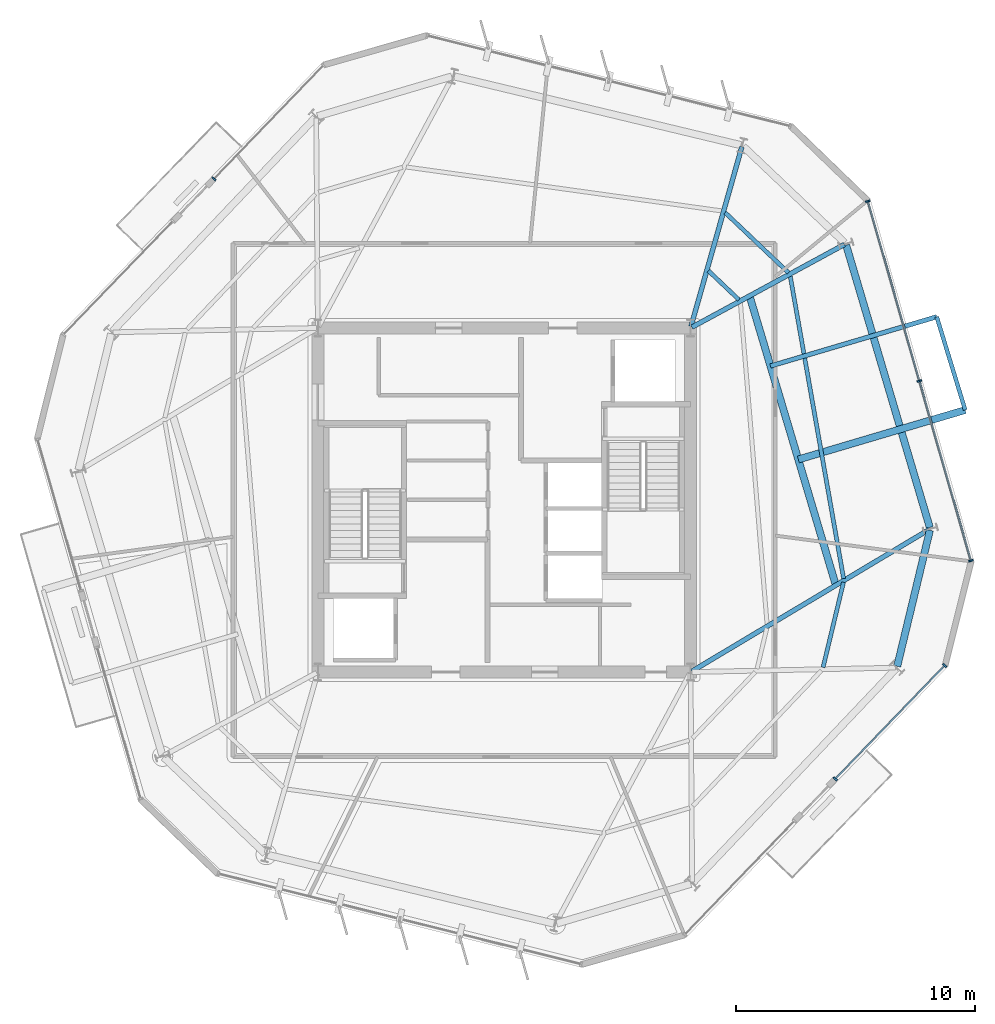
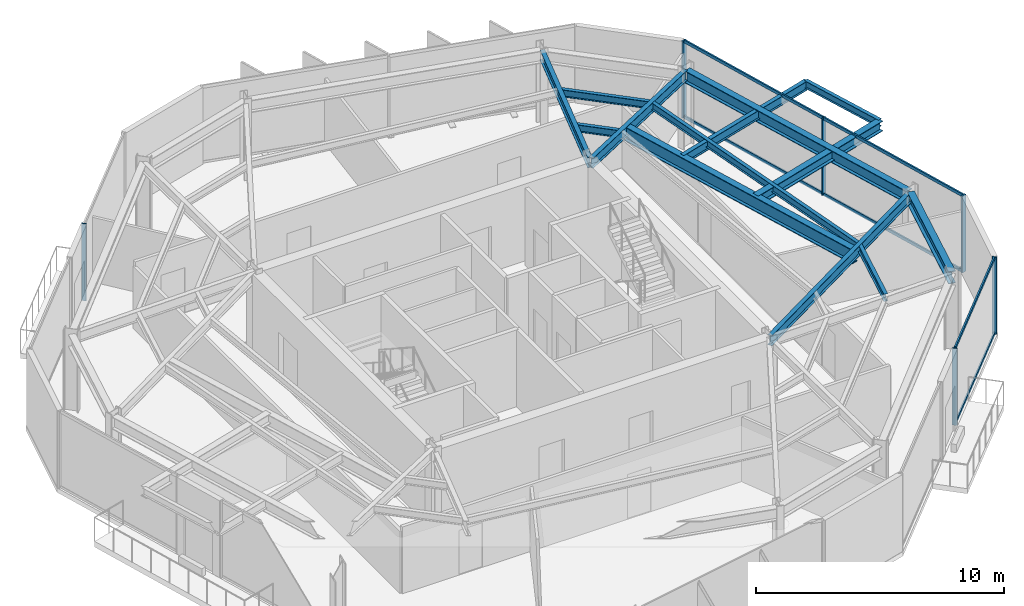
# One storey, part 4 of 11: 13 beams, 12 members, 3 elements without a shape of their own.
"""IFC4 building model written with IfcOpenShell, lengths in metres."""

from ifc_helpers import new_model, si_unit, direction, frame, origin, origin_2d, place, context, subcontext, project, spatial, rectangle, i_section, extrude, material, layer, layer_set, material_profile, profile_set, type_object, element, aggregate, save


model = new_model("IFC4")

# Units and contexts
model_context = context("Model", 3, precision=1e-05, world=origin(), true_north=direction((0.0, 1.0)))
body_context = subcontext(model_context, "Body", "Model", "MODEL_VIEW")
ifc_project = project(units=[si_unit("LENGTHUNIT", "METRE"), si_unit("AREAUNIT", "SQUARE_METRE"), si_unit("VOLUMEUNIT", "CUBIC_METRE"), si_unit("PLANEANGLEUNIT", "RADIAN"), si_unit("MASSUNIT", "GRAM", prefix="KILO")], contexts=[model_context])

# Site, building, storey
site_placement = place(None, origin())
site = spatial("IfcSite", under=ifc_project, at=site_placement, CompositionType="ELEMENT")
building_placement = place(site_placement, origin())
building = spatial("IfcBuilding", under=site, at=building_placement, Name="Kranzbogen Civic Tower", CompositionType="ELEMENT")
storey_placement = place(building_placement, frame((0.0, 0.0, 208.800048828125)))
storey = spatial("IfcBuildingStorey", under=building, at=storey_placement, Name="L50", CompositionType="ELEMENT", Elevation=208.800048828125)

# Beam
ifc_material_1 = material(Name="Steel S355", Category="steel")
ifc_material_profile_1 = material_profile(ifc_material_1, i_section(OverallWidth=0.18994140625, OverallDepth=0.449951171875, WebThickness=0.009521484375, FlangeThickness=0.0146484375, at=origin_2d()), Name="IPE 450")
ifc_profile_set_1 = profile_set([ifc_material_profile_1], Name="Steel S355")
beam_type_1 = type_object("IfcBeamType", Name="Braced Terrace Edge Beam IPE 450", PredefinedType="BEAM", material=ifc_profile_set_1)
beam_1_placement = place(storey_placement, frame((36.14208984375, 30.60595703125, 3.52490234375), z_axis=(0.958820509995, 0.284012727908, 0.0), x_axis=(-0.284012727908, 0.958820509995, 0.0)))
element("IfcBeam", 1, at=beam_1_placement, inside=storey, type_object=beam_type_1, Name="L51 back-spanned terrace beam L51-TB2-2", PredefinedType="BEAM", context=body_context, shape_type="SweptSolid", body=[
    extrude(i_section(OverallWidth=0.18994140625, OverallDepth=0.449951171875, WebThickness=0.009521484375, FlangeThickness=0.0146484375, at=origin_2d()), origin(), (0.0, 0.0, 1.0), 7.2568359375),
])

# Curtain wall, member
ifc_material_2 = material(Name="Pale Anodised Aluminium", Category="aluminium")
ifc_layer = layer(ifc_material_2, 0.219970703125, Name="Pale Anodised Aluminium")
ifc_layer_set = layer_set([ifc_layer], Name="Pale Anodised Aluminium")
curtain_wall_type = type_object("IfcCurtainWallType", Name="Zone 3 Stick Curtain Wall System CW-04", PredefinedType="USERDEFINED", material=ifc_layer_set)
curtain_wall_1_placement = place(storey_placement, origin())
curtain_wall_1 = element("IfcCurtainWall", 2, at=curtain_wall_1_placement, inside=storey, type_object=curtain_wall_type, Name="L50 curtain wall CW-L50-F2-S1", ObjectType="STICK CURTAIN WALL", PredefinedType="USERDEFINED")
ifc_material_profile_2 = material_profile(ifc_material_2, rectangle(XDim=0.070068359375, YDim=0.199951171875, at=origin_2d()), Name="ALU-M 70x200")
ifc_profile_set_2 = profile_set([ifc_material_profile_2], Name="Pale Anodised Aluminium")
member_type_1 = type_object("IfcMemberType", Name="Curtain Wall Mullion ALU-M 70x200", PredefinedType="MULLION", material=ifc_profile_set_2)
member_1_placement = place(storey_placement, frame((12.854736328125, 38.4384765625, 0.0), z_axis=(0.0, 0.0, 1.0), x_axis=(-0.694677640583, -0.719321190897, 0.0)))
member_1 = element("IfcMember", 3, at=member_1_placement, type_object=member_type_1, Name="CW-04 mullion 2", PredefinedType="MULLION", context=body_context, shape_type="SweptSolid", body=[
    extrude(rectangle(XDim=0.070068359375, YDim=0.199951171875, at=origin_2d()), origin(), (0.0, 0.0, 1.0), 3.780029296875),
])
aggregate(curtain_wall_1, [member_1])

# Curtain wall, members
curtain_wall_2_placement = place(storey_placement, origin())
curtain_wall_2 = element("IfcCurtainWall", 4, at=curtain_wall_2_placement, inside=storey, type_object=curtain_wall_type, Name="L50 curtain wall CW-L50-F5-S2", ObjectType="STICK CURTAIN WALL", PredefinedType="USERDEFINED")
member_2_placement = place(storey_placement, frame((38.853759765625, 13.33056640625, 0.0), z_axis=(0.0, 0.0, 1.0), x_axis=(0.694677640583, 0.719321190897, 0.0)))
member_2 = element("IfcMember", 5, at=member_2_placement, type_object=member_type_1, Name="CW-04 mullion 1", PredefinedType="MULLION", context=body_context, shape_type="SweptSolid", body=[
    extrude(rectangle(XDim=0.070068359375, YDim=0.199951171875, at=origin_2d()), origin(), (0.0, 0.0, 1.0), 3.780029296875),
])
member_3_placement = place(storey_placement, frame((43.43505859375, 18.074462890625, 0.0), z_axis=(0.0, 0.0, 1.0), x_axis=(0.694677640583, 0.719321190897, 0.0)))
member_3 = element("IfcMember", 6, at=member_3_placement, type_object=member_type_1, Name="CW-04 mullion 2", PredefinedType="MULLION", context=body_context, shape_type="SweptSolid", body=[
    extrude(rectangle(XDim=0.070068359375, YDim=0.199951171875, at=origin_2d()), origin(), (0.0, 0.0, 1.0), 3.780029296875),
])

curtain_wall_3_placement = place(storey_placement, origin())
curtain_wall_3 = element("IfcCurtainWall", 7, at=curtain_wall_3_placement, inside=storey, type_object=curtain_wall_type, Name="L50 curtain wall CW-L50-F6", ObjectType="STICK CURTAIN WALL", PredefinedType="USERDEFINED")
member_4_placement = place(storey_placement, frame((44.52783203125, 22.459716796875, 0.0), z_axis=(0.0, 0.0, 1.0), x_axis=(-0.275587041813, 0.961276121822, 0.0)))
member_4 = element("IfcMember", 8, at=member_4_placement, type_object=member_type_1, Name="CW-04 mullion 1", PredefinedType="MULLION", context=body_context, shape_type="SweptSolid", body=[
    extrude(rectangle(XDim=0.070068359375, YDim=0.199951171875, at=origin_2d()), origin(), (0.0, 0.0, 1.0), 3.780029296875),
])
member_5_placement = place(storey_placement, frame((42.37158203125, 29.98095703125, 0.0), z_axis=(0.0, 0.0, 1.0), x_axis=(-0.275587041813, 0.961276121822, 0.0)))
member_5 = element("IfcMember", 9, at=member_5_placement, type_object=member_type_1, Name="CW-04 mullion 2", PredefinedType="MULLION", context=body_context, shape_type="SweptSolid", body=[
    extrude(rectangle(XDim=0.070068359375, YDim=0.199951171875, at=origin_2d()), origin(), (0.0, 0.0, 1.0), 3.780029296875),
])
member_6_placement = place(storey_placement, frame((40.21533203125, 37.502197265625, 0.0), z_axis=(0.0, 0.0, 1.0), x_axis=(-0.275587041813, 0.961276121822, 0.0)))
member_6 = element("IfcMember", 10, at=member_6_placement, type_object=member_type_1, Name="CW-04 mullion 3", PredefinedType="MULLION", context=body_context, shape_type="SweptSolid", body=[
    extrude(rectangle(XDim=0.070068359375, YDim=0.199951171875, at=origin_2d()), origin(), (0.0, 0.0, 1.0), 3.780029296875),
])

# Member
ifc_material_profile_3 = material_profile(ifc_material_2, rectangle(XDim=0.070068359375, YDim=0.14990234375, at=origin_2d()), Name="ALU-T 70x150")
ifc_profile_set_3 = profile_set([ifc_material_profile_3], Name="Pale Anodised Aluminium")
member_type_2 = type_object("IfcMemberType", Name="Curtain Wall Transom ALU-T 70x150", PredefinedType="USERDEFINED", material=ifc_profile_set_3)
member_7_placement = place(storey_placement, frame((38.874755859375, 13.35205078125, 0.030029296875), z_axis=(0.694670517161, 0.719328070207, 0.0), x_axis=(-0.719328070207, 0.694670517161, 0.0)))
member_7 = element("IfcMember", 11, at=member_7_placement, type_object=member_type_2, Name="CW-04 transom 1.1", ObjectType="TRANSOM", PredefinedType="USERDEFINED", context=body_context, shape_type="SweptSolid", body=[
    extrude(rectangle(XDim=0.070068359375, YDim=0.14990234375, at=origin_2d()), origin(), (0.0, 0.0, 1.0), 6.534912109375),
])

member_8_placement = place(storey_placement, frame((38.874755859375, 13.35205078125, 3.75), z_axis=(0.694670517161, 0.719328070207, 0.0), x_axis=(-0.719328070207, 0.694670517161, 0.0)))
member_8 = element("IfcMember", 12, at=member_8_placement, type_object=member_type_2, Name="CW-04 transom 1.2", ObjectType="TRANSOM", PredefinedType="USERDEFINED", context=body_context, shape_type="SweptSolid", body=[
    extrude(rectangle(XDim=0.070068359375, YDim=0.14990234375, at=origin_2d()), origin(), (0.0, 0.0, 1.0), 6.534912109375),
])

aggregate(curtain_wall_2, [member_2, member_3, member_7, member_8])

member_9_placement = place(storey_placement, frame((44.51953125, 22.48876953125, 0.030029296875), z_axis=(-0.275584867355, 0.961276745212, 0.0), x_axis=(-0.961276745212, -0.275584867355, 0.0)))
member_9 = element("IfcMember", 13, at=member_9_placement, type_object=member_type_2, Name="CW-04 transom 1.1", ObjectType="TRANSOM", PredefinedType="USERDEFINED", context=body_context, shape_type="SweptSolid", body=[
    extrude(rectangle(XDim=0.070068359375, YDim=0.14990234375, at=origin_2d()), origin(), (0.0, 0.0, 1.0), 7.763916015625),
])

member_10_placement = place(storey_placement, frame((44.51953125, 22.48876953125, 3.75), z_axis=(-0.275584867355, 0.961276745212, 0.0), x_axis=(-0.961276745212, -0.275584867355, 0.0)))
member_10 = element("IfcMember", 14, at=member_10_placement, type_object=member_type_2, Name="CW-04 transom 1.2", ObjectType="TRANSOM", PredefinedType="USERDEFINED", context=body_context, shape_type="SweptSolid", body=[
    extrude(rectangle(XDim=0.070068359375, YDim=0.14990234375, at=origin_2d()), origin(), (0.0, 0.0, 1.0), 7.763916015625),
])

member_11_placement = place(storey_placement, frame((42.36328125, 30.009765625, 0.030029296875), z_axis=(-0.27557653737, 0.961279133265, 0.0), x_axis=(-0.961279133265, -0.27557653737, 0.0)))
member_11 = element("IfcMember", 15, at=member_11_placement, type_object=member_type_2, Name="CW-04 transom 2.1", ObjectType="TRANSOM", PredefinedType="USERDEFINED", context=body_context, shape_type="SweptSolid", body=[
    extrude(rectangle(XDim=0.070068359375, YDim=0.14990234375, at=origin_2d()), origin(), (0.0, 0.0, 1.0), 7.76416015625),
])

member_12_placement = place(storey_placement, frame((42.36328125, 30.009765625, 3.75), z_axis=(-0.27557653737, 0.961279133265, 0.0), x_axis=(-0.961279133265, -0.27557653737, 0.0)))
member_12 = element("IfcMember", 16, at=member_12_placement, type_object=member_type_2, Name="CW-04 transom 2.2", ObjectType="TRANSOM", PredefinedType="USERDEFINED", context=body_context, shape_type="SweptSolid", body=[
    extrude(rectangle(XDim=0.070068359375, YDim=0.14990234375, at=origin_2d()), origin(), (0.0, 0.0, 1.0), 7.76416015625),
])

aggregate(curtain_wall_3, [member_4, member_5, member_6, member_9, member_10, member_11, member_12])

# Beams
ifc_material_profile_4 = material_profile(ifc_material_1, i_section(OverallWidth=0.300048828125, OverallDepth=0.5, WebThickness=0.014404296875, FlangeThickness=0.028076171875, at=origin_2d()), Name="HEB 500")
ifc_profile_set_4 = profile_set([ifc_material_profile_4], Name="Steel S355")
beam_type_2 = type_object("IfcBeamType", Name="Perimeter Tube Spandrel Beam HEB 500", PredefinedType="SPANDREL", material=ifc_profile_set_4)
beam_2_placement = place(storey_placement, frame((37.30908203125, 26.696044921875, 3.5), z_axis=(0.958804199762, 0.284067785077, 0.0), x_axis=(-0.284067785077, 0.958804199762, 0.0)))
element("IfcBeam", 17, at=beam_2_placement, inside=storey, type_object=beam_type_2, Name="L51 back-spanned terrace beam L51-TB2-1", PredefinedType="SPANDREL", context=body_context, shape_type="SweptSolid", body=[
    extrude(i_section(OverallWidth=0.300048828125, OverallDepth=0.5, WebThickness=0.014404296875, FlangeThickness=0.028076171875, at=origin_2d()), origin(), (0.0, 0.0, 1.0), 7.282958984375),
])
ifc_material_profile_5 = material_profile(ifc_material_1, i_section(OverallWidth=0.300048828125, OverallDepth=0.60009765625, WebThickness=0.015380859375, FlangeThickness=0.030029296875, at=origin_2d()), Name="HEB 600")
ifc_profile_set_5 = profile_set([ifc_material_profile_5], Name="Steel S355")
beam_type_3 = type_object("IfcBeamType", Name="Perimeter Tube Spandrel Beam HEB 600", PredefinedType="SPANDREL", material=ifc_profile_set_5)
beam_3_placement = place(storey_placement, frame((41.447021484375, 18.0419921875, 3.47998046875), z_axis=(0.233554380434, 0.972343741369, 0.0), x_axis=(-0.972343741369, 0.233554380434, 0.0)))
element("IfcBeam", 18, at=beam_3_placement, inside=storey, type_object=beam_type_3, Name="L50 perimeter spandrel beam 05", PredefinedType="SPANDREL", context=body_context, shape_type="SweptSolid", body=[
    extrude(i_section(OverallWidth=0.300048828125, OverallDepth=0.60009765625, WebThickness=0.015380859375, FlangeThickness=0.030029296875, at=origin_2d()), origin(), (0.0, 0.0, 1.0), 5.852783203125),
])
beam_4_placement = place(storey_placement, frame((42.81103515625, 23.84912109375, 3.47998046875), z_axis=(-0.284064048956, 0.958805306666, 0.0), x_axis=(-0.958805306666, -0.284064048956, 0.0)))
element("IfcBeam", 19, at=beam_4_placement, inside=storey, type_object=beam_type_3, Name="L50 perimeter spandrel beam 06", PredefinedType="SPANDREL", context=body_context, shape_type="SweptSolid", body=[
    extrude(i_section(OverallWidth=0.300048828125, OverallDepth=0.60009765625, WebThickness=0.015380859375, FlangeThickness=0.030029296875, at=origin_2d()), origin(), (0.0, 0.0, 1.0), 12.32470703125),
])
ifc_material_profile_6 = material_profile(ifc_material_1, i_section(OverallWidth=0.300048828125, OverallDepth=0.699951171875, WebThickness=0.01708984375, FlangeThickness=0.031982421875, at=origin_2d()), Name="HEB 700")
ifc_profile_set_6 = profile_set([ifc_material_profile_6], Name="Steel S355")
beam_type_4 = type_object("IfcBeamType", Name="Perimeter Tube Spandrel Beam HEB 700", PredefinedType="SPANDREL", material=ifc_profile_set_6)
beam_5_placement = place(storey_placement, frame((38.87890625, 21.431884765625, 3.39990234375), z_axis=(-0.285870808606, 0.95826816747, 0.0), x_axis=(-0.95826816747, -0.285870808606, 0.0)))
element("IfcBeam", 20, at=beam_5_placement, inside=storey, type_object=beam_type_4, Name="L51 balcony back-span header girder L51-TB2", PredefinedType="SPANDREL", context=body_context, shape_type="SweptSolid", body=[
    extrude(i_section(OverallWidth=0.300048828125, OverallDepth=0.699951171875, WebThickness=0.01708984375, FlangeThickness=0.031982421875, at=origin_2d()), origin(), (0.0, 0.0, 1.0), 12.634521484375),
])
ifc_material_profile_7 = material_profile(ifc_material_1, i_section(OverallWidth=0.199951171875, OverallDepth=0.5, WebThickness=0.01025390625, FlangeThickness=0.01611328125, at=origin_2d()), Name="IPE 500")
ifc_profile_set_7 = profile_set([ifc_material_profile_7], Name="Steel S355")
beam_type_5 = type_object("IfcBeamType", Name="Radial Tower Floor Girder IPE 500", PredefinedType="BEAM", material=ifc_profile_set_7)
beam_6_placement = place(storey_placement, frame((42.77587890625, 23.760009765625, 3.530029296875), z_axis=(-0.858458551809, -0.512882944565, 0.0), x_axis=(0.512882944565, -0.858458551809, 0.0)))
element("IfcBeam", 21, at=beam_6_placement, inside=storey, type_object=beam_type_5, Name="L50 radial floor girder 06", PredefinedType="BEAM", context=body_context, shape_type="SweptSolid", body=[
    extrude(i_section(OverallWidth=0.199951171875, OverallDepth=0.5, WebThickness=0.01025390625, FlangeThickness=0.01611328125, at=origin_2d()), origin(), (0.0, 0.0, 1.0), 11.56005859375),
])
beam_7_placement = place(storey_placement, frame((39.239990234375, 35.695068359375, 3.530029296875), z_axis=(-0.878919430102, -0.476970266777, 0.0), x_axis=(0.476970266777, -0.878919430102, 0.0)))
element("IfcBeam", 22, at=beam_7_placement, inside=storey, type_object=beam_type_5, Name="L50 radial floor girder 07", PredefinedType="BEAM", context=body_context, shape_type="SweptSolid", body=[
    extrude(i_section(OverallWidth=0.199951171875, OverallDepth=0.5, WebThickness=0.01025390625, FlangeThickness=0.01611328125, at=origin_2d()), origin(), (0.0, 0.0, 1.0), 7.266845703125),
])
beam_8_placement = place(storey_placement, frame((34.945068359375, 39.777099609375, 3.530029296875), z_axis=(-0.272455078988, -0.962168503919, 0.0), x_axis=(0.962168503919, -0.272455078988, 0.0)))
element("IfcBeam", 23, at=beam_8_placement, inside=storey, type_object=beam_type_5, Name="L50 radial floor girder 08", PredefinedType="BEAM", context=body_context, shape_type="SweptSolid", body=[
    extrude(i_section(OverallWidth=0.199951171875, OverallDepth=0.5, WebThickness=0.01025390625, FlangeThickness=0.01611328125, at=origin_2d()), origin(), (0.0, 0.0, 1.0), 7.814697265625),
])
ifc_material_profile_8 = material_profile(ifc_material_1, i_section(OverallWidth=0.169921875, OverallDepth=0.360107421875, WebThickness=0.008056640625, FlangeThickness=0.0126953125, at=origin_2d()), Name="IPE 360")
ifc_profile_set_8 = profile_set([ifc_material_profile_8], Name="Steel S355")
beam_type_6 = type_object("IfcBeamType", Name="Secondary Composite Floor Joist IPE 360", PredefinedType="JOIST", material=ifc_profile_set_8)
beam_9_placement = place(storey_placement, frame((38.343994140625, 17.99609375, 3.599853515625), z_axis=(0.233534367714, 0.972348548154, 0.0), x_axis=(-0.972348548154, 0.233534367714, 0.0)))
element("IfcBeam", 24, at=beam_9_placement, inside=storey, type_object=beam_type_6, Name="L50 secondary floor joist 1.05", PredefinedType="JOIST", context=body_context, shape_type="SweptSolid", body=[
    extrude(i_section(OverallWidth=0.169921875, OverallDepth=0.360107421875, WebThickness=0.008056640625, FlangeThickness=0.0126953125, at=origin_2d()), origin(), (0.0, 0.0, 1.0), 3.6611328125),
])
beam_10_placement = place(storey_placement, frame((39.2041015625, 21.712890625, 3.599853515625), z_axis=(-0.173805911364, 0.984779927281, 0.0), x_axis=(-0.984779927281, -0.173805911364, 0.0)))
element("IfcBeam", 25, at=beam_10_placement, inside=storey, type_object=beam_type_6, Name="L50 secondary floor joist 1.06", PredefinedType="JOIST", context=body_context, shape_type="SweptSolid", body=[
    extrude(i_section(OverallWidth=0.169921875, OverallDepth=0.360107421875, WebThickness=0.008056640625, FlangeThickness=0.0126953125, at=origin_2d()), origin(), (0.0, 0.0, 1.0), 12.85986328125),
])
beam_11_placement = place(storey_placement, frame((36.89697265625, 34.510009765625, 3.599853515625), z_axis=(-0.725300648604, 0.688432254572, 0.0), x_axis=(-0.688432254572, -0.725300648604, 0.0)))
element("IfcBeam", 26, at=beam_11_placement, inside=storey, type_object=beam_type_6, Name="L50 secondary floor joist 1.07", PredefinedType="JOIST", context=body_context, shape_type="SweptSolid", body=[
    extrude(i_section(OverallWidth=0.169921875, OverallDepth=0.360107421875, WebThickness=0.008056640625, FlangeThickness=0.0126953125, at=origin_2d()), origin(), (0.0, 0.0, 1.0), 3.661865234375),
])
beam_12_placement = place(storey_placement, frame((34.820068359375, 33.383056640625, 3.599853515625), z_axis=(-0.725479767774, 0.688243493649, 0.0), x_axis=(-0.688243493649, -0.725479767774, 0.0)))
element("IfcBeam", 27, at=beam_12_placement, inside=storey, type_object=beam_type_6, Name="L50 secondary floor joist 2.07", PredefinedType="JOIST", context=body_context, shape_type="SweptSolid", body=[
    extrude(i_section(OverallWidth=0.169921875, OverallDepth=0.360107421875, WebThickness=0.008056640625, FlangeThickness=0.0126953125, at=origin_2d()), origin(), (0.0, 0.0, 1.0), 1.75048828125),
])
beam_13_placement = place(storey_placement, frame((44.2919921875, 28.764892578125, 3.570068359375), z_axis=(-0.292125801158, 0.956379901659, 0.0), x_axis=(-0.956379901659, -0.292125801158, 0.0)))
element("IfcBeam", 28, at=beam_13_placement, inside=storey, type_object=beam_type_6, Name="L51 terrace outer edge trimmer L51-TB2", PredefinedType="JOIST", context=body_context, shape_type="SweptSolid", body=[
    extrude(i_section(OverallWidth=0.169921875, OverallDepth=0.360107421875, WebThickness=0.008056640625, FlangeThickness=0.0126953125, at=origin_2d()), origin(), (0.0, 0.0, 1.0), 4.080078125),
])

save(model, "model.ifc")
